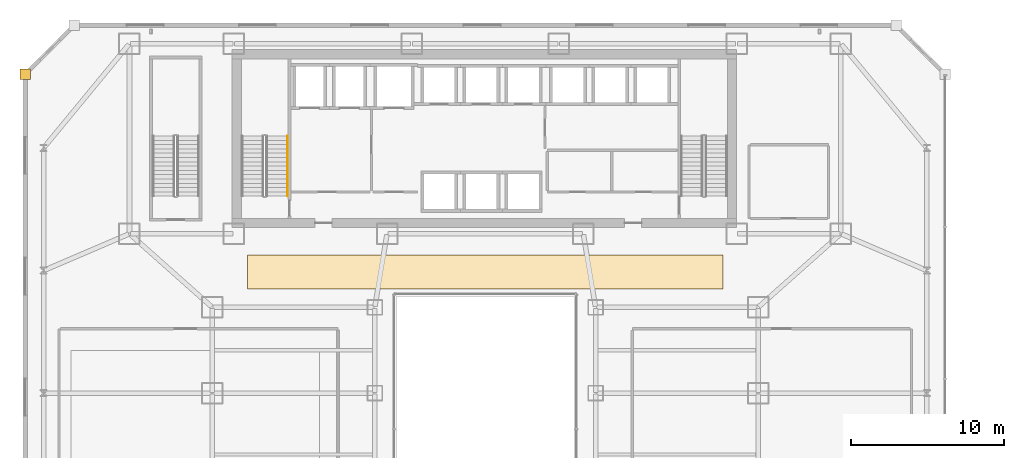
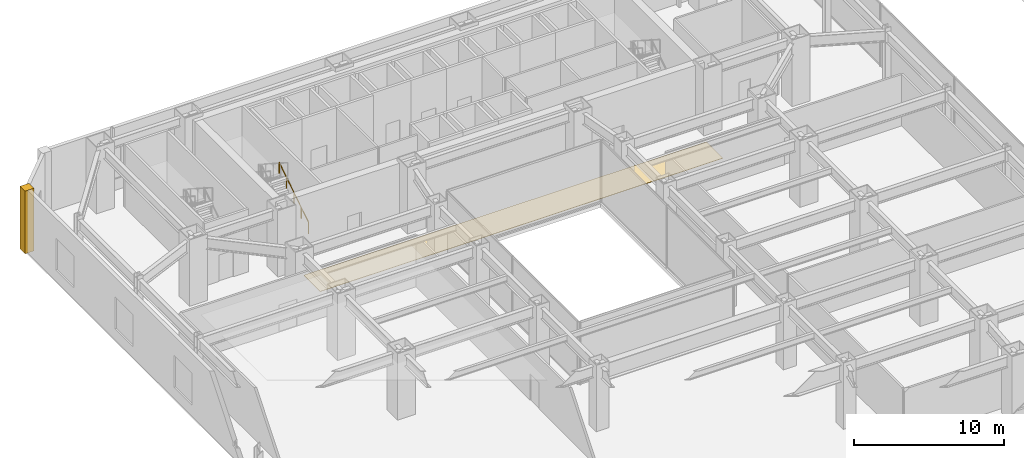
# One storey, part 47 of 52: 2 coverings, 1 railing.
"""IFC4 building model written with IfcOpenShell, lengths in metres."""

from ifc_helpers import new_model, si_unit, direction, frame, origin, origin_2d, place, context, subcontext, project, spatial, polyline, circle, outline, extrude, material, layer, layer_set, type_object, element, save


model = new_model("IFC4")

# Units and contexts
model_context = context("Model", 3, precision=1e-05, world=origin(), true_north=direction((0.0, 1.0)))
body_context = subcontext(model_context, "Body", "Model", "MODEL_VIEW")
ifc_project = project(units=[si_unit("LENGTHUNIT", "METRE"), si_unit("AREAUNIT", "SQUARE_METRE"), si_unit("VOLUMEUNIT", "CUBIC_METRE"), si_unit("PLANEANGLEUNIT", "RADIAN"), si_unit("MASSUNIT", "GRAM", prefix="KILO")], contexts=[model_context])

# Site, building, storey
site_placement = place(None, origin())
site = spatial("IfcSite", under=ifc_project, at=site_placement, CompositionType="ELEMENT")
building_placement = place(site_placement, origin())
building = spatial("IfcBuilding", under=site, at=building_placement, Name="Saevonmaru Cultural Tower", CompositionType="ELEMENT")
storey_placement = place(building_placement, frame((0.0, 0.0, 11.39990234375)))
storey = spatial("IfcBuildingStorey", under=building, at=storey_placement, Name="L02", CompositionType="ELEMENT", Elevation=11.39990234375)

# Coverings
ifc_material_1 = material(Name="Satin Bronze Anodised Aluminium", Category="aluminium")
ifc_layer_1 = layer(ifc_material_1, 0.679931640625, Name="Satin Bronze Anodised Aluminium")
ifc_layer_set_1 = layer_set([ifc_layer_1], Name="Satin Bronze Anodised Aluminium")
covering_type_1 = type_object("IfcCoveringType", Name="CV-CORNER-CLAD", PredefinedType="CLADDING", material=ifc_layer_set_1)
covering_1_placement = place(storey_placement, origin())
element("IfcCovering", 1, at=covering_1_placement, inside=storey, type_object=covering_type_1, Name="L02 Podium Bronze Corner Cladding Pier 8", PredefinedType="CLADDING", context=body_context, shape_type="SweptSolid", body=[
    extrude(outline(polyline([(-0.340087890625, 52.4599609375), (0.340087890625, 52.4599609375), (0.340087890625, 53.139892578125), (-0.340087890625, 53.139892578125), (-0.340087890625, 52.4599609375)])), origin(), (0.0, 0.0, 1.0), 5.10009765625),
])
ifc_material_2 = material(Name="Honed Granite Terrazzo", Category="masonry")
ifc_layer_2 = layer(ifc_material_2, 0.030029296875, Name="Honed Granite Terrazzo")
ifc_layer_set_2 = layer_set([ifc_layer_2], Name="Honed Granite Terrazzo")
covering_type_2 = type_object("IfcCoveringType", Name="CV-FLR-TERRAZZO", PredefinedType="FLOORING", material=ifc_layer_set_2)
covering_2_placement = place(storey_placement, origin())
element("IfcCovering", 2, at=covering_2_placement, inside=storey, type_object=covering_type_2, Name="L02 Foyer Granite Terrazzo Flooring", PredefinedType="FLOORING", context=body_context, shape_type="SweptSolid", body=[
    extrude(outline(polyline([(14.5, 38.800048828125), (45.5, 38.800048828125), (45.5, 41.0), (14.5, 41.0), (14.5, 38.800048828125)])), origin(), (0.0, 0.0, 1.0), 0.030029296875),
])

# Railing
railing_type = type_object("IfcRailingType", Name="RL-STAIR-HANDRAIL", PredefinedType="HANDRAIL", material=ifc_material_1)
railing_placement = place(storey_placement, frame((17.10009765625, 44.85009765625, 0.18017578125)))
element("IfcRailing", 3, at=railing_placement, inside=storey, type_object=railing_type, Name="L02 ST-1 stair handrail 1", PredefinedType="HANDRAIL", context=body_context, shape_type="SweptSolid", body=[
    extrude(circle(Radius=0.02392578125, at=origin_2d()), frame((0.0, 0.0, 0.8759765625), z_axis=(0.0, 0.841171666519, 0.540768182723), x_axis=(-1.0, 0.0, 0.0)), (0.0, 0.0, 1.0), 4.66015625),
    extrude(circle(Radius=0.02099609375, at=origin_2d()), origin(), (0.0, 0.0, 1.0), 0.851806640625),
    extrude(circle(Radius=0.02099609375, at=origin_2d()), frame((0.0, 0.97998046875, 0.6298828125)), (0.0, 0.0, 1.0), 0.851806640625),
    extrude(circle(Radius=0.02099609375, at=origin_2d()), frame((0.0, 1.9599609375, 1.260009765625)), (0.0, 0.0, 1.0), 0.851806640625),
    extrude(circle(Radius=0.02099609375, at=origin_2d()), frame((0.0, 2.93994140625, 1.89013671875)), (0.0, 0.0, 1.0), 0.851806640625),
    extrude(circle(Radius=0.02099609375, at=origin_2d()), frame((0.0, 3.919921875, 2.52001953125)), (0.0, 0.0, 1.0), 0.851806640625),
])

save(model, "model.ifc")
